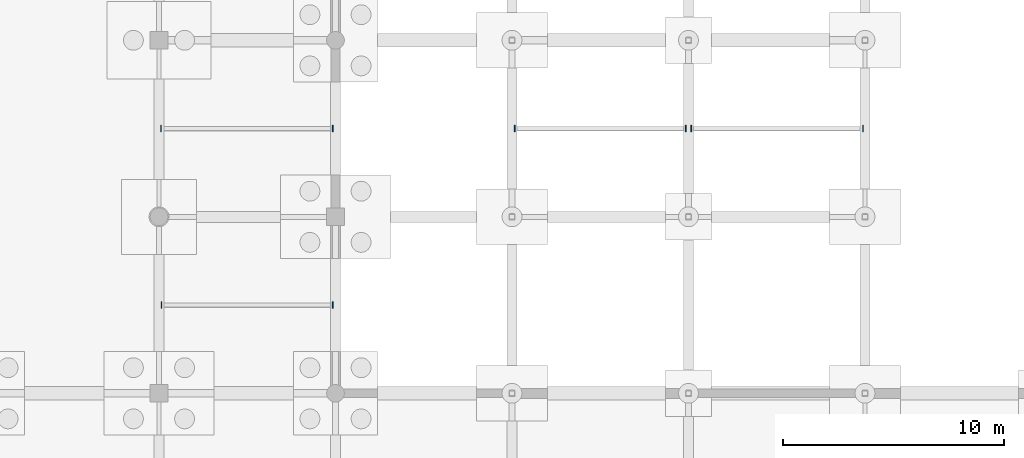
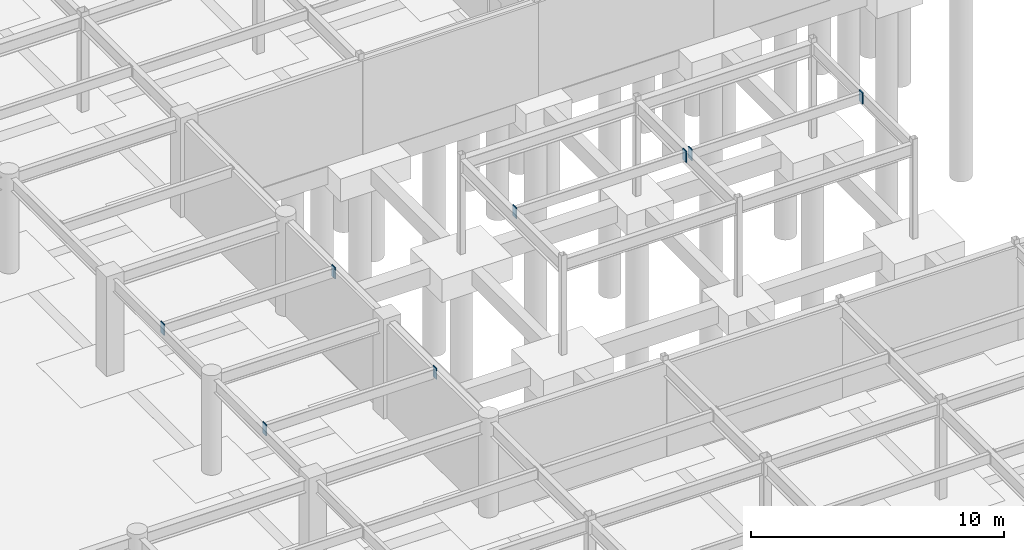
# One storey, part 75 of 105: 8 discrete accessories.
"""IFC4 building model written with IfcOpenShell, lengths in metres."""

from ifc_helpers import new_model, si_unit, direction, frame, origin, origin_2d, place, context, subcontext, project, spatial, rectangle, extrude, material, layer, layer_set, type_object, element, save


model = new_model("IFC4")

# Units and contexts
model_context = context("Model", 3, precision=1e-05, world=origin(), true_north=direction((0.0, 1.0)))
body_context = subcontext(model_context, "Body", "Model", "MODEL_VIEW")
ifc_project = project(units=[si_unit("LENGTHUNIT", "METRE"), si_unit("AREAUNIT", "SQUARE_METRE"), si_unit("VOLUMEUNIT", "CUBIC_METRE"), si_unit("PLANEANGLEUNIT", "RADIAN"), si_unit("MASSUNIT", "GRAM", prefix="KILO")], contexts=[model_context])

# Site, building, storey
site_placement = place(None, origin())
site = spatial("IfcSite", under=ifc_project, at=site_placement, CompositionType="ELEMENT")
building_placement = place(site_placement, origin())
building = spatial("IfcBuilding", under=site, at=building_placement, Name="Solmirada Galleria", CompositionType="ELEMENT")
storey_placement = place(building_placement, frame((0.0, 0.0, -4.800048828125)))
storey = spatial("IfcBuildingStorey", under=building, at=storey_placement, Name="B1", CompositionType="ELEMENT", Elevation=-4.800048828125)

# Discrete accessories
ifc_material = material(Name="Steel S355 / ASTM A572 Grade 50", Category="steel")
ifc_layer = layer(ifc_material, 0.031982421875)
ifc_layer_set = layer_set([ifc_layer], Name="Steel S355 / ASTM A572 Grade 50")
discrete_accessory_type = type_object("IfcDiscreteAccessoryType", Name="ACC-COL-CAP", PredefinedType="BRACKET", material=ifc_layer_set)
for number, where, z_axis, x_axis, name in (
    (1, (104.114013671875, 52.0, 4.08154296875), (0.0, 0.0, 1.0), (1.0, 0.0, 0.0), "Hollow joist end plate L00-14-07-L"),
    (2, (111.873046875, 52.0, 4.08154296875), (0.0, 0.0, 1.0), (1.0, 0.0, 0.0), "Hollow joist end plate L00-14-07-R"),
    (3, (104.089111328125, 60.0, 4.08154296875), (0.0, 0.0, 1.0), (1.0, 0.0, 0.0), "Hollow joist end plate L00-14-08-L"),
    (4, (111.873046875, 60.0, 4.08154296875), (0.0, 0.0, 1.0), (1.0, 0.0, 0.0), "Hollow joist end plate L00-14-08-R"),
    (5, (120.1279296875, 60.0, 4.08154296875), (0.0, 0.0, 1.0), (1.0, 0.0, 0.0), "Hollow joist end plate L00-16-08-L"),
    (6, (127.873046875, 60.0, 4.08154296875), (0.0, 0.0, 1.0), (1.0, 0.0, 0.0), "Hollow joist end plate L00-16-08-R"),
    (7, (128.126953125, 60.0, 4.08154296875), (0.0, 0.0, 1.0), (1.0, 0.0, 0.0), "Hollow joist end plate L00-17-08-L"),
    (8, (135.910888671875, 60.0, 4.08154296875), (0.0, 0.0, 1.0), (1.0, 0.0, 0.0), "Hollow joist end plate L00-17-08-R"),
):
    element("IfcDiscreteAccessory", number, at=place(storey_placement, frame(where, z_axis=z_axis, x_axis=x_axis)), inside=storey, type_object=discrete_accessory_type, Name=name, PredefinedType="BRACKET", context=body_context, shape_type="SweptSolid", body=[
        extrude(rectangle(XDim=0.035888671875, YDim=0.280029296875, at=origin_2d()), origin(), (0.0, 0.0, 1.0), 0.5400390625),
    ])

save(model, "model.ifc")
